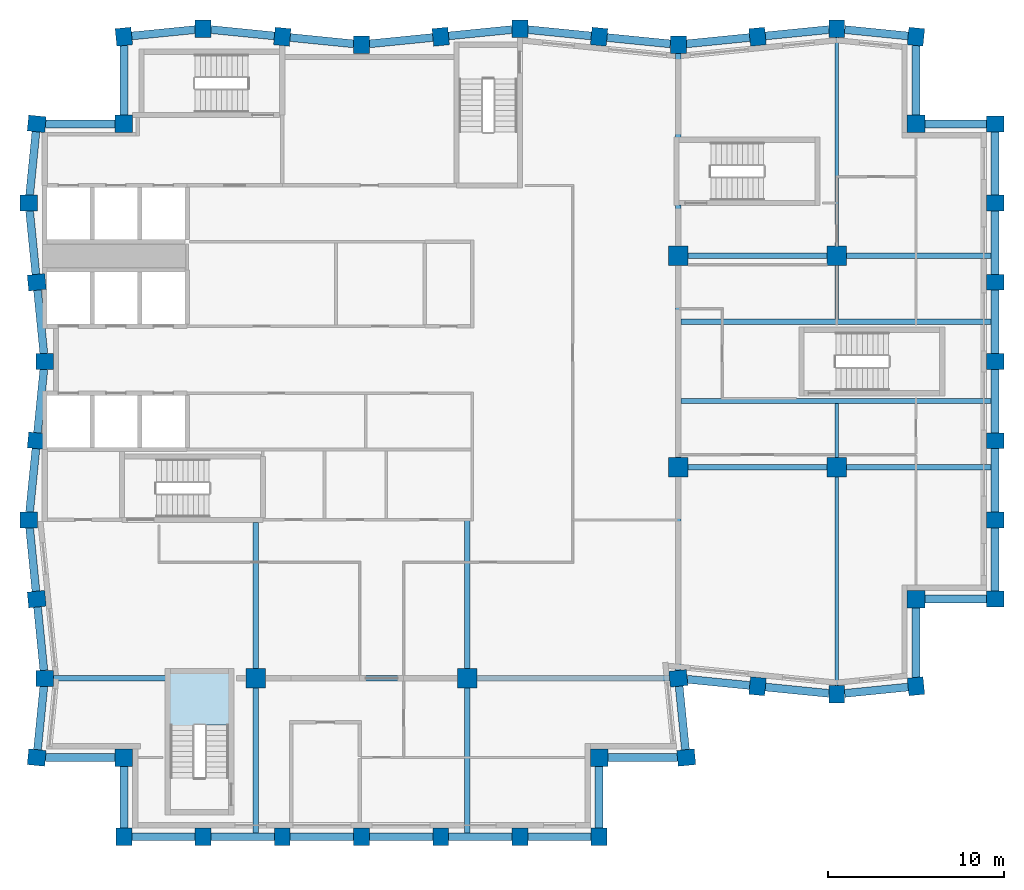
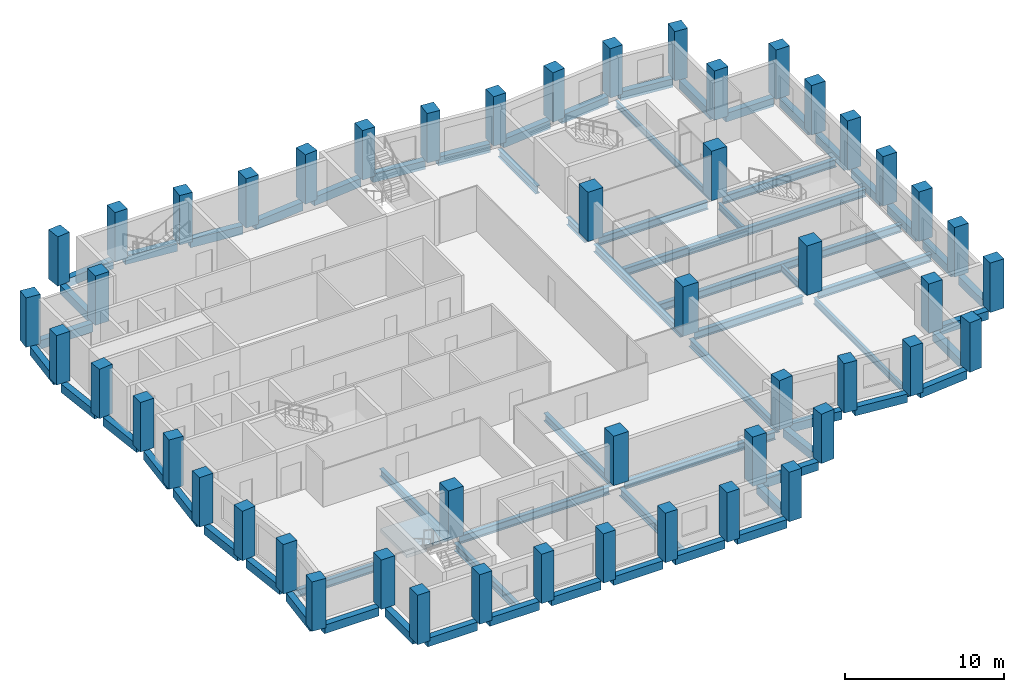
# One storey, part 1 of 8: 65 beams, 50 columns, 1 slab, 1 element without a shape of its own.
"""IFC4 building model written with IfcOpenShell, lengths in metres."""

from ifc_helpers import new_model, si_unit, direction, frame, origin, origin_2d, place, context, subcontext, project, spatial, polyline, rectangle, i_section, outline, extrude, material, layer, layer_set, material_profile, profile_set, type_object, element, aggregate, save


model = new_model("IFC4")

# Units and contexts
model_context = context("Model", 3, precision=1e-05, world=origin(), true_north=direction((0.0, 1.0)))
body_context = subcontext(model_context, "Body", "Model", "MODEL_VIEW")
ifc_project = project(units=[si_unit("LENGTHUNIT", "METRE"), si_unit("AREAUNIT", "SQUARE_METRE"), si_unit("VOLUMEUNIT", "CUBIC_METRE"), si_unit("PLANEANGLEUNIT", "RADIAN"), si_unit("MASSUNIT", "GRAM", prefix="KILO")], contexts=[model_context])

# Site, building, storey
site_placement = place(None, origin())
site = spatial("IfcSite", under=ifc_project, at=site_placement, CompositionType="ELEMENT")
building_placement = place(site_placement, origin())
building = spatial("IfcBuilding", under=site, at=building_placement, Name="Brondeck Convention Tower", CompositionType="ELEMENT")
storey_placement = place(building_placement, frame((0.0, 0.0, 236.800048828125)))
storey = spatial("IfcBuildingStorey", under=building, at=storey_placement, Name="L58", CompositionType="ELEMENT", Elevation=236.800048828125)

# Columns
ifc_material_1 = material(Name="Concrete C50/60", Category="concrete")
ifc_material_profile_1 = material_profile(ifc_material_1, rectangle(XDim=1.0, YDim=1.0, at=origin_2d()), Name="Corner column 1000x1000 Concrete C50/60")
ifc_profile_set_1 = profile_set([ifc_material_profile_1], Name="Concrete C50/60")
column_type_1 = type_object("IfcColumnType", Name="Corner column 1000x1000 Concrete C50/60", PredefinedType="COLUMN", material=ifc_profile_set_1)
for number, where, z_axis, x_axis, name in (
    (1, (4.5, 22.5, 0.0), (0.0, 0.0, 1.0), (1.0, 0.0, 0.0), "STR-COL-L58-NC-SWB18"),
    (2, (31.5, 22.5, 0.0), (0.0, 0.0, 1.0), (1.0, 0.0, 0.0), "STR-COL-L58-NC-SEB18"),
    (3, (49.5, 31.5, 0.0), (0.0, 0.0, 1.0), (1.0, 0.0, 0.0), "STR-COL-L58-NC-SEA54"),
    (4, (49.5, 58.5, 0.0), (0.0, 0.0, 1.0), (1.0, 0.0, 0.0), "STR-COL-L58-NC-NEA54"),
    (5, (4.5, 58.5, 0.0), (0.0, 0.0, 1.0), (1.0, 0.0, 0.0), "STR-COL-L58-NC-NW"),
):
    element("IfcColumn", number, at=place(storey_placement, frame(where, z_axis=z_axis, x_axis=x_axis)), inside=storey, type_object=column_type_1, Name=name, PredefinedType="COLUMN", context=body_context, shape_type="SweptSolid", body=[
        extrude(rectangle(XDim=1.0, YDim=1.0, at=origin_2d()), origin(), (0.0, 0.0, 1.0), 3.800048828125),
    ])
ifc_material_profile_2 = material_profile(ifc_material_1, rectangle(XDim=1.10009765625, YDim=1.10009765625, at=origin_2d()), Name="Interior column 1100x1100 Concrete C50/60")
ifc_profile_set_2 = profile_set([ifc_material_profile_2], Name="Concrete C50/60")
column_type_2 = type_object("IfcColumnType", Name="Interior column 1100x1100 Concrete C50/60", PredefinedType="COLUMN", material=ifc_profile_set_2)
for number, where, z_axis, x_axis, name in (
    (6, (12.0, 27.0, 0.0), (0.0, 0.0, 1.0), (1.0, 0.0, 0.0), "STR-COL-L58-IC-03"),
    (7, (24.0, 27.0, 0.0), (0.0, 0.0, 1.0), (1.0, 0.0, 0.0), "STR-COL-L58-IC-06"),
    (8, (36.0, 39.0, 0.0), (0.0, 0.0, 1.0), (1.0, 0.0, 0.0), "STR-COL-L58-IC-07"),
    (9, (36.0, 51.0, 0.0), (0.0, 0.0, 1.0), (1.0, 0.0, 0.0), "STR-COL-L58-IC-08"),
    (10, (45.0, 39.0, 0.0), (0.0, 0.0, 1.0), (1.0, 0.0, 0.0), "STR-COL-L58-IC-09"),
    (11, (45.0, 51.0, 0.0), (0.0, 0.0, 1.0), (1.0, 0.0, 0.0), "STR-COL-L58-IC-10"),
):
    element("IfcColumn", number, at=place(storey_placement, frame(where, z_axis=z_axis, x_axis=x_axis)), inside=storey, type_object=column_type_2, Name=name, PredefinedType="COLUMN", context=body_context, shape_type="SweptSolid", body=[
        extrude(rectangle(XDim=1.10009765625, YDim=1.10009765625, at=origin_2d()), origin(), (0.0, 0.0, 1.0), 3.800048828125),
    ])
ifc_material_profile_3 = material_profile(ifc_material_1, rectangle(XDim=0.89990234375, YDim=1.0, at=origin_2d()), Name="Perimeter pier 900x1000 Concrete C50/60")
ifc_profile_set_3 = profile_set([ifc_material_profile_3], Name="Concrete C50/60")
column_type_3 = type_object("IfcColumnType", Name="Perimeter pier 900x1000 Concrete C50/60", PredefinedType="COLUMN", material=ifc_profile_set_3)
for number, where, z_axis, x_axis, name in (
    (12, (4.5, 18.0, 0.0), (0.0, 0.0, 1.0), (1.0, 0.0, 0.0), "STR-COL-L58-PC-B-S18-01"),
    (13, (9.0, 18.0, 0.0), (0.0, 0.0, 1.0), (1.0, 0.0, 0.0), "STR-COL-L58-PC-B-S18-02"),
    (14, (13.5, 18.0, 0.0), (0.0, 0.0, 1.0), (1.0, 0.0, 0.0), "STR-COL-L58-PC-B-S18-03"),
    (15, (18.0, 18.0, 0.0), (0.0, 0.0, 1.0), (1.0, 0.0, 0.0), "STR-COL-L58-PC-B-S18-04"),
    (16, (22.5, 18.0, 0.0), (0.0, 0.0, 1.0), (1.0, 0.0, 0.0), "STR-COL-L58-PC-B-S18-05"),
    (17, (27.0, 18.0, 0.0), (0.0, 0.0, 1.0), (1.0, 0.0, 0.0), "STR-COL-L58-PC-B-S18-06"),
    (18, (31.5, 18.0, 0.0), (0.0, 0.0, 1.0), (1.0, 0.0, 0.0), "STR-COL-L58-PC-B-S18-07"),
    (19, (36.449951171875, 22.5, 0.0), (0.0, 0.0, 1.0), (-0.0995038382, 0.995037178292, 0.0), "STR-COL-L58-PC-B-E-01"),
    (20, (36.0, 27.0, 0.0), (0.0, 0.0, 1.0), (-0.0995038382, 0.995037178292, 0.0), "STR-COL-L58-PC-B-E-00"),
    (21, (40.5, 26.550048828125, 0.0), (0.0, 0.0, 1.0), (0.995037178292, -0.0995038382, 0.0), "STR-COL-L58-PC-A-S-01"),
    (22, (45.0, 26.10009765625, 0.0), (0.0, 0.0, 1.0), (1.0, 0.0, 0.0), "STR-COL-L58-PC-A-S-02"),
    (23, (49.5, 26.550048828125, 0.0), (0.0, 0.0, 1.0), (0.995037178292, 0.0995038382, 0.0), "STR-COL-L58-PC-A-S-03"),
    (24, (54.0, 31.5, 0.0), (0.0, 0.0, 1.0), (0.0, 1.0, 0.0), "STR-COL-L58-PC-A-E54-01"),
    (25, (54.0, 36.0, 0.0), (0.0, 0.0, 1.0), (0.0, 1.0, 0.0), "STR-COL-L58-PC-A-E54-02"),
    (26, (54.0, 40.5, 0.0), (0.0, 0.0, 1.0), (0.0, 1.0, 0.0), "STR-COL-L58-PC-A-E54-03"),
    (27, (54.0, 45.0, 0.0), (0.0, 0.0, 1.0), (0.0, 1.0, 0.0), "STR-COL-L58-PC-A-E54-04"),
    (28, (54.0, 49.5, 0.0), (0.0, 0.0, 1.0), (0.0, 1.0, 0.0), "STR-COL-L58-PC-A-E54-05"),
    (29, (54.0, 54.0, 0.0), (0.0, 0.0, 1.0), (0.0, 1.0, 0.0), "STR-COL-L58-PC-A-E54-06"),
    (30, (54.0, 58.5, 0.0), (0.0, 0.0, 1.0), (0.0, 1.0, 0.0), "STR-COL-L58-PC-A-E54-07"),
    (31, (49.5, 63.449951171875, 0.0), (0.0, 0.0, 1.0), (-0.995037178292, 0.0995038382, 0.0), "STR-COL-L58-PC-A-N-11"),
    (32, (45.0, 63.89990234375, 0.0), (0.0, 0.0, 1.0), (-1.0, 0.0, 0.0), "STR-COL-L58-PC-A-N-10"),
    (33, (40.5, 63.449951171875, 0.0), (0.0, 0.0, 1.0), (-0.995037178292, -0.0995038382, 0.0), "STR-COL-L58-PC-A-N-09"),
    (34, (36.0, 63.0, 0.0), (0.0, 0.0, 1.0), (-1.0, 0.0, 0.0), "STR-COL-L58-PC-A-N-08"),
    (35, (31.5, 63.449951171875, 0.0), (0.0, 0.0, 1.0), (-0.995037178292, 0.0995038382, 0.0), "STR-COL-L58-PC-A-N-07"),
    (36, (27.0, 63.89990234375, 0.0), (0.0, 0.0, 1.0), (-1.0, 0.0, 0.0), "STR-COL-L58-PC-A-N-06"),
    (37, (22.5, 63.449951171875, 0.0), (0.0, 0.0, 1.0), (-0.995037178292, -0.0995038382, 0.0), "STR-COL-L58-PC-A-N-05"),
    (38, (18.0, 63.0, 0.0), (0.0, 0.0, 1.0), (-1.0, 0.0, 0.0), "STR-COL-L58-PC-A-N-04"),
    (39, (13.5, 63.449951171875, 0.0), (0.0, 0.0, 1.0), (-0.995037178292, 0.0995038382, 0.0), "STR-COL-L58-PC-A-N-03"),
    (40, (9.0, 63.89990234375, 0.0), (0.0, 0.0, 1.0), (-1.0, 0.0, 0.0), "STR-COL-L58-PC-A-N-02"),
    (41, (4.5, 63.449951171875, 0.0), (0.0, 0.0, 1.0), (-0.995037178292, -0.0995038382, 0.0), "STR-COL-L58-PC-A-N-01"),
    (42, (-0.449951171875, 58.5, 0.0), (0.0, 0.0, 1.0), (-0.0995038382, -0.995037178292, 0.0), "STR-COL-L58-PC-B-W-01"),
    (43, (-0.89990234375, 54.0, 0.0), (0.0, 0.0, 1.0), (0.0, -1.0, 0.0), "STR-COL-L58-PC-B-W-02"),
    (44, (-0.449951171875, 49.5, 0.0), (0.0, 0.0, 1.0), (0.0995038382, -0.995037178292, 0.0), "STR-COL-L58-PC-B-W-03"),
    (45, (0.0, 45.0, 0.0), (0.0, 0.0, 1.0), (0.0, -1.0, 0.0), "STR-COL-L58-PC-B-W-04"),
    (46, (-0.449951171875, 40.5, 0.0), (0.0, 0.0, 1.0), (-0.0995038382, -0.995037178292, 0.0), "STR-COL-L58-PC-B-W-05"),
    (47, (-0.89990234375, 36.0, 0.0), (0.0, 0.0, 1.0), (0.0, -1.0, 0.0), "STR-COL-L58-PC-B-W-06"),
    (48, (-0.449951171875, 31.5, 0.0), (0.0, 0.0, 1.0), (0.0995038382, -0.995037178292, 0.0), "STR-COL-L58-PC-B-W-07"),
    (49, (0.0, 27.0, 0.0), (0.0, 0.0, 1.0), (0.0, -1.0, 0.0), "STR-COL-L58-PC-B-W-08"),
    (50, (-0.449951171875, 22.5, 0.0), (0.0, 0.0, 1.0), (-0.0995038382, -0.995037178292, 0.0), "STR-COL-L58-PC-B-W-09"),
):
    element("IfcColumn", number, at=place(storey_placement, frame(where, z_axis=z_axis, x_axis=x_axis)), inside=storey, type_object=column_type_3, Name=name, PredefinedType="COLUMN", context=body_context, shape_type="SweptSolid", body=[
        extrude(rectangle(XDim=0.89990234375, YDim=1.0, at=origin_2d()), origin(), (0.0, 0.0, 1.0), 3.800048828125),
    ])

# Beams
ifc_material_2 = material(Name="Steel S355", Category="steel")
ifc_material_profile_4 = material_profile(ifc_material_2, i_section(OverallWidth=0.199951171875, OverallDepth=0.5, WebThickness=0.01025390625, FlangeThickness=0.01611328125, FilletRadius=0.02099609375, at=origin_2d()), Name="IPE 500")
ifc_profile_set_4 = profile_set([ifc_material_profile_4], Name="Steel S355")
beam_type_1 = type_object("IfcBeamType", Name="Floor beam IPE 500", PredefinedType="BEAM", material=ifc_profile_set_4)
for number, where, z_axis, x_axis, name in (
    (51, (45.0, 26.60009765625, -0.550048828125), (0.0, 1.0, 0.0), (-1.0, 0.0, 0.0), "STR-FB-L58-001"),
    (52, (45.0, 51.550048828125, -0.550048828125), (0.0, 1.0, 0.0), (-1.0, 0.0, 0.0), "STR-FB-L58-002"),
):
    element("IfcBeam", number, at=place(storey_placement, frame(where, z_axis=z_axis, x_axis=x_axis)), inside=storey, type_object=beam_type_1, Name=name, PredefinedType="BEAM", context=body_context, shape_type="SweptSolid", body=[
        extrude(i_section(OverallWidth=0.199951171875, OverallDepth=0.5, WebThickness=0.01025390625, FlangeThickness=0.01611328125, FilletRadius=0.02099609375, at=origin_2d()), origin(), (0.0, 0.0, 1.0), 11.849853515625),
    ])
for number, where, z_axis, x_axis, name in (
    (53, (45.0, 39.550048828125, -0.550048828125), (0.0, 1.0, 0.0), (-1.0, 0.0, 0.0), "STR-FB-L58-003"),
    (54, (45.0, 47.39990234375, -0.550048828125), (0.0, 1.0, 0.0), (-1.0, 0.0, 0.0), "STR-FB-L58-004"),
):
    element("IfcBeam", number, at=place(storey_placement, frame(where, z_axis=z_axis, x_axis=x_axis)), inside=storey, type_object=beam_type_1, Name=name, PredefinedType="BEAM", context=body_context, shape_type="SweptSolid", body=[
        extrude(i_section(OverallWidth=0.199951171875, OverallDepth=0.5, WebThickness=0.01025390625, FlangeThickness=0.01611328125, FilletRadius=0.02099609375, at=origin_2d()), origin(), (0.0, 0.0, 1.0), 3.050048828125),
    ])
ifc_material_profile_5 = material_profile(ifc_material_2, i_section(OverallWidth=0.300048828125, OverallDepth=0.60009765625, WebThickness=0.015380859375, FlangeThickness=0.030029296875, FilletRadius=0.027099609375, at=origin_2d()), Name="HEB 600")
ifc_profile_set_5 = profile_set([ifc_material_profile_5], Name="Steel S355")
beam_type_2 = type_object("IfcBeamType", Name="Girder HEB 600", PredefinedType="BEAM", material=ifc_profile_set_5)
beam_1_placement = place(storey_placement, frame((36.550048828125, 39.0, -0.60009765625), z_axis=(1.0, 0.0, 0.0), x_axis=(0.0, 1.0, 0.0)))
element("IfcBeam", 55, at=beam_1_placement, inside=storey, type_object=beam_type_2, Name="STR-GR-L58-001", PredefinedType="BEAM", context=body_context, shape_type="SweptSolid", body=[
    extrude(i_section(OverallWidth=0.300048828125, OverallDepth=0.60009765625, WebThickness=0.015380859375, FlangeThickness=0.030029296875, FilletRadius=0.027099609375, at=origin_2d()), origin(), (0.0, 0.0, 1.0), 7.89990234375),
])
beam_2_placement = place(storey_placement, frame((45.550048828125, 39.0, -0.60009765625), z_axis=(1.0, 0.0, 0.0), x_axis=(0.0, 1.0, 0.0)))
element("IfcBeam", 56, at=beam_2_placement, inside=storey, type_object=beam_type_2, Name="STR-GR-L58-002", PredefinedType="BEAM", context=body_context, shape_type="SweptSolid", body=[
    extrude(i_section(OverallWidth=0.300048828125, OverallDepth=0.60009765625, WebThickness=0.015380859375, FlangeThickness=0.030029296875, FilletRadius=0.027099609375, at=origin_2d()), origin(), (0.0, 0.0, 1.0), 8.224853515625),
])
beam_3_placement = place(storey_placement, frame((36.550048828125, 51.0, -0.60009765625), z_axis=(1.0, 0.0, 0.0), x_axis=(0.0, 1.0, 0.0)))
element("IfcBeam", 57, at=beam_3_placement, inside=storey, type_object=beam_type_2, Name="STR-GR-L58-003", PredefinedType="BEAM", context=body_context, shape_type="SweptSolid", body=[
    extrude(i_section(OverallWidth=0.300048828125, OverallDepth=0.60009765625, WebThickness=0.015380859375, FlangeThickness=0.030029296875, FilletRadius=0.027099609375, at=origin_2d()), origin(), (0.0, 0.0, 1.0), 7.89990234375),
])
beam_4_placement = place(storey_placement, frame((45.550048828125, 51.0, -0.60009765625), z_axis=(1.0, 0.0, 0.0), x_axis=(0.0, 1.0, 0.0)))
element("IfcBeam", 58, at=beam_4_placement, inside=storey, type_object=beam_type_2, Name="STR-GR-L58-004", PredefinedType="BEAM", context=body_context, shape_type="SweptSolid", body=[
    extrude(i_section(OverallWidth=0.300048828125, OverallDepth=0.60009765625, WebThickness=0.015380859375, FlangeThickness=0.030029296875, FilletRadius=0.027099609375, at=origin_2d()), origin(), (0.0, 0.0, 1.0), 8.224853515625),
])
beam_5_placement = place(storey_placement, frame((36.0, 27.4521484375, -0.60009765625), z_axis=(0.0, 1.0, 0.0), x_axis=(-1.0, 0.0, 0.0)))
element("IfcBeam", 59, at=beam_5_placement, inside=storey, type_object=beam_type_2, Name="STR-GR-L58-005", PredefinedType="BEAM", context=body_context, shape_type="SweptSolid", body=[
    extrude(i_section(OverallWidth=0.300048828125, OverallDepth=0.60009765625, WebThickness=0.015380859375, FlangeThickness=0.030029296875, FilletRadius=0.027099609375, at=origin_2d()), origin(), (0.0, 0.0, 1.0), 10.997802734375),
])
beam_6_placement = place(storey_placement, frame((36.0, 39.550048828125, -0.60009765625), z_axis=(0.0, 1.0, 0.0), x_axis=(-1.0, 0.0, 0.0)))
element("IfcBeam", 60, at=beam_6_placement, inside=storey, type_object=beam_type_2, Name="STR-GR-L58-006", PredefinedType="BEAM", context=body_context, shape_type="SweptSolid", body=[
    extrude(i_section(OverallWidth=0.300048828125, OverallDepth=0.60009765625, WebThickness=0.015380859375, FlangeThickness=0.030029296875, FilletRadius=0.027099609375, at=origin_2d()), origin(), (0.0, 0.0, 1.0), 10.89990234375),
])
beam_7_placement = place(storey_placement, frame((36.0, 51.550048828125, -0.60009765625), z_axis=(0.0, 1.0, 0.0), x_axis=(-1.0, 0.0, 0.0)))
element("IfcBeam", 61, at=beam_7_placement, inside=storey, type_object=beam_type_2, Name="STR-GR-L58-007", PredefinedType="BEAM", context=body_context, shape_type="SweptSolid", body=[
    extrude(i_section(OverallWidth=0.300048828125, OverallDepth=0.60009765625, WebThickness=0.015380859375, FlangeThickness=0.030029296875, FilletRadius=0.027099609375, at=origin_2d()), origin(), (0.0, 0.0, 1.0), 2.329833984375),
])
beam_8_placement = place(storey_placement, frame((36.0, 57.719970703125, -0.60009765625), z_axis=(0.0, 1.0, 0.0), x_axis=(-1.0, 0.0, 0.0)))
element("IfcBeam", 62, at=beam_8_placement, inside=storey, type_object=beam_type_2, Name="STR-GR-L58-008", PredefinedType="BEAM", context=body_context, shape_type="SweptSolid", body=[
    extrude(i_section(OverallWidth=0.300048828125, OverallDepth=0.60009765625, WebThickness=0.015380859375, FlangeThickness=0.030029296875, FilletRadius=0.027099609375, at=origin_2d()), origin(), (0.0, 0.0, 1.0), 4.780029296875),
])
beam_9_placement = place(storey_placement, frame((12.0, 35.85009765625, -0.60009765625), z_axis=(0.0, -1.0, 0.0), x_axis=(1.0, 0.0, 0.0)))
element("IfcBeam", 63, at=beam_9_placement, inside=storey, type_object=beam_type_2, Name="STR-GR-L58-009", PredefinedType="BEAM", context=body_context, shape_type="SweptSolid", body=[
    extrude(i_section(OverallWidth=0.300048828125, OverallDepth=0.60009765625, WebThickness=0.015380859375, FlangeThickness=0.030029296875, FilletRadius=0.027099609375, at=origin_2d()), origin(), (0.0, 0.0, 1.0), 8.300048828125),
])
beam_10_placement = place(storey_placement, frame((12.0, 26.449951171875, -0.60009765625), z_axis=(0.0, -1.0, 0.0), x_axis=(1.0, 0.0, 0.0)))
element("IfcBeam", 64, at=beam_10_placement, inside=storey, type_object=beam_type_2, Name="STR-GR-L58-010", PredefinedType="BEAM", context=body_context, shape_type="SweptSolid", body=[
    extrude(i_section(OverallWidth=0.300048828125, OverallDepth=0.60009765625, WebThickness=0.015380859375, FlangeThickness=0.030029296875, FilletRadius=0.027099609375, at=origin_2d()), origin(), (0.0, 0.0, 1.0), 8.224853515625),
])
beam_11_placement = place(storey_placement, frame((24.0, 35.955078125, -0.60009765625), z_axis=(0.0, -1.0, 0.0), x_axis=(1.0, 0.0, 0.0)))
element("IfcBeam", 65, at=beam_11_placement, inside=storey, type_object=beam_type_2, Name="STR-GR-L58-011", PredefinedType="BEAM", context=body_context, shape_type="SweptSolid", body=[
    extrude(i_section(OverallWidth=0.300048828125, OverallDepth=0.60009765625, WebThickness=0.015380859375, FlangeThickness=0.030029296875, FilletRadius=0.027099609375, at=origin_2d()), origin(), (0.0, 0.0, 1.0), 8.405029296875),
])
beam_12_placement = place(storey_placement, frame((24.0, 26.449951171875, -0.60009765625), z_axis=(0.0, -1.0, 0.0), x_axis=(1.0, 0.0, 0.0)))
element("IfcBeam", 66, at=beam_12_placement, inside=storey, type_object=beam_type_2, Name="STR-GR-L58-012", PredefinedType="BEAM", context=body_context, shape_type="SweptSolid", body=[
    extrude(i_section(OverallWidth=0.300048828125, OverallDepth=0.60009765625, WebThickness=0.015380859375, FlangeThickness=0.030029296875, FilletRadius=0.027099609375, at=origin_2d()), origin(), (0.0, 0.0, 1.0), 8.224853515625),
])
beam_13_placement = place(storey_placement, frame((0.5, 27.0, -0.60009765625), z_axis=(1.0, 0.0, 0.0), x_axis=(0.0, 1.0, 0.0)))
element("IfcBeam", 67, at=beam_13_placement, inside=storey, type_object=beam_type_2, Name="STR-GR-L58-013", PredefinedType="BEAM", context=body_context, shape_type="SweptSolid", body=[
    extrude(i_section(OverallWidth=0.300048828125, OverallDepth=0.60009765625, WebThickness=0.015380859375, FlangeThickness=0.030029296875, FilletRadius=0.027099609375, at=origin_2d()), origin(), (0.0, 0.0, 1.0), 6.3798828125),
])
beam_14_placement = place(storey_placement, frame((12.550048828125, 27.0, -0.60009765625), z_axis=(1.0, 0.0, 0.0), x_axis=(0.0, 1.0, 0.0)))
element("IfcBeam", 68, at=beam_14_placement, inside=storey, type_object=beam_type_2, Name="STR-GR-L58-014", PredefinedType="BEAM", context=body_context, shape_type="SweptSolid", body=[
    extrude(i_section(OverallWidth=0.300048828125, OverallDepth=0.60009765625, WebThickness=0.015380859375, FlangeThickness=0.030029296875, FilletRadius=0.027099609375, at=origin_2d()), origin(), (0.0, 0.0, 1.0), 10.89990234375),
])
beam_15_placement = place(storey_placement, frame((24.550048828125, 27.0, -0.60009765625), z_axis=(1.0, 0.0, 0.0), x_axis=(0.0, 1.0, 0.0)))
element("IfcBeam", 69, at=beam_15_placement, inside=storey, type_object=beam_type_2, Name="STR-GR-L58-015", PredefinedType="BEAM", context=body_context, shape_type="SweptSolid", body=[
    extrude(i_section(OverallWidth=0.300048828125, OverallDepth=0.60009765625, WebThickness=0.015380859375, FlangeThickness=0.030029296875, FilletRadius=0.027099609375, at=origin_2d()), origin(), (0.0, 0.0, 1.0), 10.947509765625),
])
for number, where, z_axis, x_axis, name in (
    (70, (36.14990234375, 42.75, -0.60009765625), (1.0, 0.0, 0.0), (0.0, 1.0, 0.0), "STR-GR-L58-016"),
    (71, (36.14990234375, 47.25, -0.60009765625), (1.0, 0.0, 0.0), (0.0, 1.0, 0.0), "STR-GR-L58-017"),
):
    element("IfcBeam", number, at=place(storey_placement, frame(where, z_axis=z_axis, x_axis=x_axis)), inside=storey, type_object=beam_type_2, Name=name, PredefinedType="BEAM", context=body_context, shape_type="SweptSolid", body=[
        extrude(i_section(OverallWidth=0.300048828125, OverallDepth=0.60009765625, WebThickness=0.015380859375, FlangeThickness=0.030029296875, FilletRadius=0.027099609375, at=origin_2d()), origin(), (0.0, 0.0, 1.0), 17.625),
    ])
ifc_material_profile_6 = material_profile(ifc_material_1, rectangle(XDim=0.449951171875, YDim=0.64990234375, at=origin_2d()), Name="Precast spandrel 450x650 Concrete C50/60")
ifc_profile_set_6 = profile_set([ifc_material_profile_6], Name="Concrete C50/60")
beam_type_3 = type_object("IfcBeamType", Name="Precast spandrel 450x650 Concrete C50/60", PredefinedType="SPANDREL", material=ifc_profile_set_6)
for number, where, z_axis, x_axis, name in (
    (72, (4.949951171875, 18.0, -0.324951171875), (1.0, 0.0, 0.0), (0.0, 1.0, 0.0), "STR-SP-L58-001"),
    (73, (9.449951171875, 18.0, -0.324951171875), (1.0, 0.0, 0.0), (0.0, 1.0, 0.0), "STR-SP-L58-002"),
    (74, (13.949951171875, 18.0, -0.324951171875), (1.0, 0.0, 0.0), (0.0, 1.0, 0.0), "STR-SP-L58-003"),
    (75, (18.449951171875, 18.0, -0.324951171875), (1.0, 0.0, 0.0), (0.0, 1.0, 0.0), "STR-SP-L58-004"),
    (76, (22.949951171875, 18.0, -0.324951171875), (1.0, 0.0, 0.0), (0.0, 1.0, 0.0), "STR-SP-L58-005"),
    (77, (27.449951171875, 18.0, -0.324951171875), (1.0, 0.0, 0.0), (0.0, 1.0, 0.0), "STR-SP-L58-006"),
):
    element("IfcBeam", number, at=place(storey_placement, frame(where, z_axis=z_axis, x_axis=x_axis)), inside=storey, type_object=beam_type_3, Name=name, PredefinedType="SPANDREL", context=body_context, shape_type="SweptSolid", body=[
        extrude(rectangle(XDim=0.449951171875, YDim=0.64990234375, at=origin_2d()), origin(), (0.0, 0.0, 1.0), 3.60009765625),
    ])
beam_16_placement = place(storey_placement, frame((31.5, 18.5, -0.324951171875), z_axis=(0.0, 1.0, 0.0), x_axis=(-1.0, 0.0, 0.0)))
element("IfcBeam", 78, at=beam_16_placement, inside=storey, type_object=beam_type_3, Name="STR-SP-L58-007", PredefinedType="SPANDREL", context=body_context, shape_type="SweptSolid", body=[
    extrude(rectangle(XDim=0.449951171875, YDim=0.64990234375, at=origin_2d()), origin(), (0.0, 0.0, 1.0), 3.5),
])
beam_17_placement = place(storey_placement, frame((32.0, 22.5, -0.324951171875), z_axis=(1.0, 0.0, 0.0), x_axis=(0.0, 1.0, 0.0)))
element("IfcBeam", 79, at=beam_17_placement, inside=storey, type_object=beam_type_3, Name="STR-SP-L58-008", PredefinedType="SPANDREL", context=body_context, shape_type="SweptSolid", body=[
    extrude(rectangle(XDim=0.449951171875, YDim=0.64990234375, at=origin_2d()), origin(), (0.0, 0.0, 1.0), 3.947509765625),
])
beam_18_placement = place(storey_placement, frame((36.4052734375, 22.94775390625, -0.324951171875), z_axis=(-0.099543756114, 0.995033185687, 0.0), x_axis=(-0.995033185687, -0.099543756114, 0.0)))
element("IfcBeam", 80, at=beam_18_placement, inside=storey, type_object=beam_type_3, Name="STR-SP-L58-009", PredefinedType="SPANDREL", context=body_context, shape_type="SweptSolid", body=[
    extrude(rectangle(XDim=0.449951171875, YDim=0.64990234375, at=origin_2d()), origin(), (0.0, 0.0, 1.0), 3.62255859375),
])
beam_19_placement = place(storey_placement, frame((36.507568359375, 26.94921875, -0.324951171875), z_axis=(0.995036511638, -0.099510504504, 0.0), x_axis=(0.099510504504, 0.995036511638, 0.0)))
element("IfcBeam", 81, at=beam_19_placement, inside=storey, type_object=beam_type_3, Name="STR-SP-L58-010", PredefinedType="SPANDREL", context=body_context, shape_type="SweptSolid", body=[
    extrude(rectangle(XDim=0.449951171875, YDim=0.64990234375, at=origin_2d()), origin(), (0.0, 0.0, 1.0), 3.562255859375),
])
for number, where, z_axis, x_axis, name in (
    (82, (40.94775390625, 26.505126953125, -0.324951171875), (0.995040528141, -0.099470334057, 0.0), (0.099470334057, 0.995040528141, 0.0), "STR-SP-L58-011"),
    (83, (45.449951171875, 26.14501953125, -0.324951171875), (0.995040528141, 0.099470334057, 0.0), (-0.099470334057, 0.995040528141, 0.0), "STR-SP-L58-012"),
):
    element("IfcBeam", number, at=place(storey_placement, frame(where, z_axis=z_axis, x_axis=x_axis)), inside=storey, type_object=beam_type_3, Name=name, PredefinedType="SPANDREL", context=body_context, shape_type="SweptSolid", body=[
        extrude(rectangle(XDim=0.449951171875, YDim=0.64990234375, at=origin_2d()), origin(), (0.0, 0.0, 1.0), 3.620361328125),
    ])
beam_20_placement = place(storey_placement, frame((49.5, 27.052490234375, -0.324951171875), z_axis=(0.0, 1.0, 0.0), x_axis=(-1.0, 0.0, 0.0)))
element("IfcBeam", 84, at=beam_20_placement, inside=storey, type_object=beam_type_3, Name="STR-SP-L58-013", PredefinedType="SPANDREL", context=body_context, shape_type="SweptSolid", body=[
    extrude(rectangle(XDim=0.449951171875, YDim=0.64990234375, at=origin_2d()), origin(), (0.0, 0.0, 1.0), 3.947509765625),
])
beam_21_placement = place(storey_placement, frame((50.0, 31.5, -0.324951171875), z_axis=(1.0, 0.0, 0.0), x_axis=(0.0, 1.0, 0.0)))
element("IfcBeam", 85, at=beam_21_placement, inside=storey, type_object=beam_type_3, Name="STR-SP-L58-014", PredefinedType="SPANDREL", context=body_context, shape_type="SweptSolid", body=[
    extrude(rectangle(XDim=0.449951171875, YDim=0.64990234375, at=origin_2d()), origin(), (0.0, 0.0, 1.0), 3.5),
])
for number, where, z_axis, x_axis, name in (
    (86, (54.0, 31.949951171875, -0.324951171875), (0.0, 1.0, 0.0), (-1.0, 0.0, 0.0), "STR-SP-L58-015"),
    (87, (54.0, 36.449951171875, -0.324951171875), (0.0, 1.0, 0.0), (-1.0, 0.0, 0.0), "STR-SP-L58-016"),
    (88, (54.0, 40.949951171875, -0.324951171875), (0.0, 1.0, 0.0), (-1.0, 0.0, 0.0), "STR-SP-L58-017"),
    (89, (54.0, 45.449951171875, -0.324951171875), (0.0, 1.0, 0.0), (-1.0, 0.0, 0.0), "STR-SP-L58-018"),
    (90, (54.0, 49.949951171875, -0.324951171875), (0.0, 1.0, 0.0), (-1.0, 0.0, 0.0), "STR-SP-L58-019"),
    (91, (54.0, 54.449951171875, -0.324951171875), (0.0, 1.0, 0.0), (-1.0, 0.0, 0.0), "STR-SP-L58-020"),
):
    element("IfcBeam", number, at=place(storey_placement, frame(where, z_axis=z_axis, x_axis=x_axis)), inside=storey, type_object=beam_type_3, Name=name, PredefinedType="SPANDREL", context=body_context, shape_type="SweptSolid", body=[
        extrude(rectangle(XDim=0.449951171875, YDim=0.64990234375, at=origin_2d()), origin(), (0.0, 0.0, 1.0), 3.60009765625),
    ])
beam_22_placement = place(storey_placement, frame((53.5, 58.5, -0.324951171875), z_axis=(-1.0, 0.0, 0.0), x_axis=(0.0, -1.0, 0.0)))
element("IfcBeam", 92, at=beam_22_placement, inside=storey, type_object=beam_type_3, Name="STR-SP-L58-021", PredefinedType="SPANDREL", context=body_context, shape_type="SweptSolid", body=[
    extrude(rectangle(XDim=0.449951171875, YDim=0.64990234375, at=origin_2d()), origin(), (0.0, 0.0, 1.0), 3.5),
])
beam_23_placement = place(storey_placement, frame((49.5, 59.0, -0.324951171875), z_axis=(0.0, 1.0, 0.0), x_axis=(-1.0, 0.0, 0.0)))
element("IfcBeam", 93, at=beam_23_placement, inside=storey, type_object=beam_type_3, Name="STR-SP-L58-022", PredefinedType="SPANDREL", context=body_context, shape_type="SweptSolid", body=[
    extrude(rectangle(XDim=0.449951171875, YDim=0.64990234375, at=origin_2d()), origin(), (0.0, 0.0, 1.0), 3.947509765625),
])
for number, where, z_axis, x_axis, name in (
    (94, (49.05224609375, 63.494873046875, -0.324951171875), (-0.995040528141, 0.099470334057, 0.0), (-0.099470334057, -0.995040528141, 0.0), "STR-SP-L58-023"),
    (95, (44.550048828125, 63.85498046875, -0.324951171875), (-0.995040528141, -0.099470334057, 0.0), (0.099470334057, -0.995040528141, 0.0), "STR-SP-L58-024"),
    (96, (40.05224609375, 63.4052734375, -0.324951171875), (-0.995033851182, -0.099537103649, 0.0), (0.099537103649, -0.995033851182, 0.0), "STR-SP-L58-025"),
    (97, (35.550048828125, 63.044921875, -0.324951171875), (-0.995033851182, 0.099537103649, 0.0), (-0.099537103649, -0.995033851182, 0.0), "STR-SP-L58-026"),
    (98, (31.05224609375, 63.494873046875, -0.324951171875), (-0.995040528141, 0.099470334057, 0.0), (-0.099470334057, -0.995040528141, 0.0), "STR-SP-L58-027"),
    (99, (26.550048828125, 63.85498046875, -0.324951171875), (-0.995040528141, -0.099470334057, 0.0), (0.099470334057, -0.995040528141, 0.0), "STR-SP-L58-028"),
    (100, (22.05224609375, 63.4052734375, -0.324951171875), (-0.995033851182, -0.099537103649, 0.0), (0.099537103649, -0.995033851182, 0.0), "STR-SP-L58-029"),
    (101, (17.550048828125, 63.044921875, -0.324951171875), (-0.995033851182, 0.099537103649, 0.0), (-0.099537103649, -0.995033851182, 0.0), "STR-SP-L58-030"),
    (102, (13.05224609375, 63.494873046875, -0.324951171875), (-0.995040528141, 0.099470334057, 0.0), (-0.099470334057, -0.995040528141, 0.0), "STR-SP-L58-031"),
    (103, (8.550048828125, 63.85498046875, -0.324951171875), (-0.995040528141, -0.099470334057, 0.0), (0.099470334057, -0.995040528141, 0.0), "STR-SP-L58-032"),
):
    element("IfcBeam", number, at=place(storey_placement, frame(where, z_axis=z_axis, x_axis=x_axis)), inside=storey, type_object=beam_type_3, Name=name, PredefinedType="SPANDREL", context=body_context, shape_type="SweptSolid", body=[
        extrude(rectangle(XDim=0.449951171875, YDim=0.64990234375, at=origin_2d()), origin(), (0.0, 0.0, 1.0), 3.620361328125),
    ])
for number, where, z_axis, x_axis, name in (
    (104, (4.5, 62.947509765625, -0.324951171875), (0.0, -1.0, 0.0), (1.0, 0.0, 0.0), "STR-SP-L58-033"),
    (105, (4.0, 58.5, -0.324951171875), (-1.0, 0.0, 0.0), (0.0, -1.0, 0.0), "STR-SP-L58-034"),
):
    element("IfcBeam", number, at=place(storey_placement, frame(where, z_axis=z_axis, x_axis=x_axis)), inside=storey, type_object=beam_type_3, Name=name, PredefinedType="SPANDREL", context=body_context, shape_type="SweptSolid", body=[
        extrude(rectangle(XDim=0.449951171875, YDim=0.64990234375, at=origin_2d()), origin(), (0.0, 0.0, 1.0), 3.947509765625),
    ])
for number, where, z_axis, x_axis, name in (
    (106, (-0.494873046875, 58.05224609375, -0.324951171875), (-0.099470334057, -0.995040528141, 0.0), (0.995040528141, -0.099470334057, 0.0), "STR-SP-L58-035"),
    (107, (-0.85498046875, 53.550048828125, -0.324951171875), (0.099470334057, -0.995040528141, 0.0), (0.995040528141, 0.099470334057, 0.0), "STR-SP-L58-036"),
    (108, (-0.4052734375, 49.05224609375, -0.324951171875), (0.099537103649, -0.995033851182, 0.0), (0.995033851182, 0.099537103649, 0.0), "STR-SP-L58-037"),
    (109, (-0.044921875, 44.550048828125, -0.324951171875), (-0.099537103649, -0.995033851182, 0.0), (0.995033851182, -0.099537103649, 0.0), "STR-SP-L58-038"),
    (110, (-0.494873046875, 40.05224609375, -0.324951171875), (-0.099470334057, -0.995040528141, 0.0), (0.995040528141, -0.099470334057, 0.0), "STR-SP-L58-039"),
    (111, (-0.85498046875, 35.550048828125, -0.324951171875), (0.099470334057, -0.995040528141, 0.0), (0.995040528141, 0.099470334057, 0.0), "STR-SP-L58-040"),
    (112, (-0.4052734375, 31.05224609375, -0.324951171875), (0.099537103649, -0.995033851182, 0.0), (0.995033851182, 0.099537103649, 0.0), "STR-SP-L58-041"),
    (113, (-0.044921875, 26.550048828125, -0.324951171875), (-0.099537103649, -0.995033851182, 0.0), (0.995033851182, -0.099537103649, 0.0), "STR-SP-L58-042"),
):
    element("IfcBeam", number, at=place(storey_placement, frame(where, z_axis=z_axis, x_axis=x_axis)), inside=storey, type_object=beam_type_3, Name=name, PredefinedType="SPANDREL", context=body_context, shape_type="SweptSolid", body=[
        extrude(rectangle(XDim=0.449951171875, YDim=0.64990234375, at=origin_2d()), origin(), (0.0, 0.0, 1.0), 3.620361328125),
    ])
beam_24_placement = place(storey_placement, frame((0.052490234375, 22.5, -0.324951171875), z_axis=(1.0, 0.0, 0.0), x_axis=(0.0, 1.0, 0.0)))
element("IfcBeam", 114, at=beam_24_placement, inside=storey, type_object=beam_type_3, Name="STR-SP-L58-043", PredefinedType="SPANDREL", context=body_context, shape_type="SweptSolid", body=[
    extrude(rectangle(XDim=0.449951171875, YDim=0.64990234375, at=origin_2d()), origin(), (0.0, 0.0, 1.0), 3.947509765625),
])
beam_25_placement = place(storey_placement, frame((4.5, 22.0, -0.324951171875), z_axis=(0.0, -1.0, 0.0), x_axis=(1.0, 0.0, 0.0)))
element("IfcBeam", 115, at=beam_25_placement, inside=storey, type_object=beam_type_3, Name="STR-SP-L58-044", PredefinedType="SPANDREL", context=body_context, shape_type="SweptSolid", body=[
    extrude(rectangle(XDim=0.449951171875, YDim=0.64990234375, at=origin_2d()), origin(), (0.0, 0.0, 1.0), 3.5),
])

# Stair, slab
ifc_material_3 = material(Name="Precast concrete C50/60", Category="concrete")
stair_type = type_object("IfcStairType", Name="Core stair 22 risers 172.73 mm riser 300 mm going 1350 wide", PredefinedType="HALF_TURN_STAIR", material=ifc_material_3)
stair_placement = place(storey_placement, origin())
stair = element("IfcStair", 116, at=stair_placement, inside=storey, type_object=stair_type, Name="ST-BE L58 stair", PredefinedType="HALF_TURN_STAIR")
ifc_layer = layer(ifc_material_3, 0.25)
ifc_layer_set = layer_set([ifc_layer], Name="Core stair landing 250 Precast concrete C50/60")
slab_type = type_object("IfcSlabType", Name="Core stair landing 250 Precast concrete C50/60", PredefinedType="LANDING", material=ifc_layer_set)
slab_placement = place(storey_placement, frame((0.0, 0.0, 1.64990234375)))
slab = element("IfcSlab", 117, at=slab_placement, type_object=slab_type, Name="ST-BE landing 1", PredefinedType="LANDING", context=body_context, shape_type="SweptSolid", body=[
    extrude(outline(polyline([(7.030029296875, 24.050048828125), (7.030029296875, 27.3701171875), (10.570068359375, 27.3701171875), (10.570068359375, 24.347900390625), (9.10009765625, 24.347900390625), (9.10009765625, 24.35009765625), (8.5, 24.35009765625), (8.5, 24.050048828125), (7.030029296875, 24.050048828125)])), origin(), (0.0, 0.0, 1.0), 0.25),
])
aggregate(stair, [slab])

save(model, "model.ifc")
